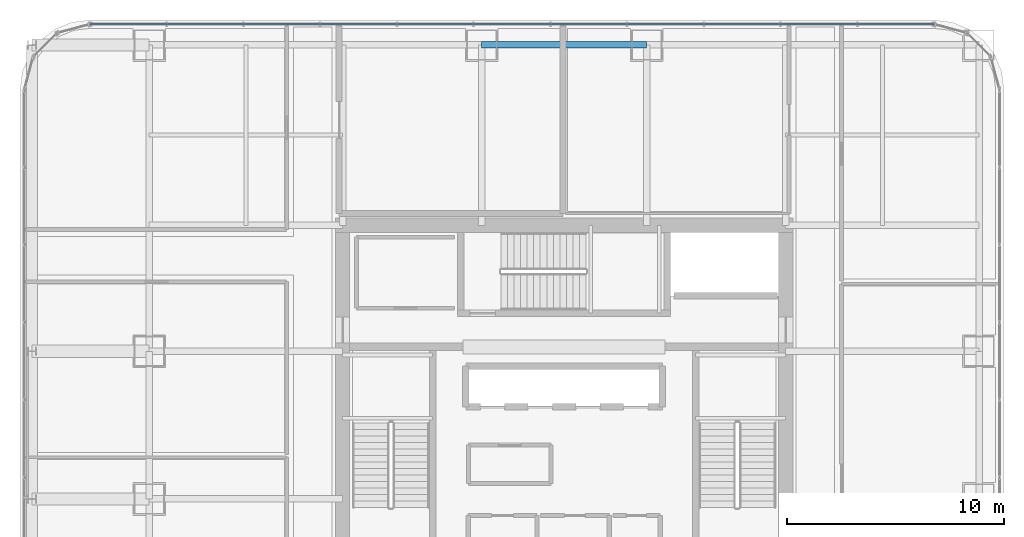
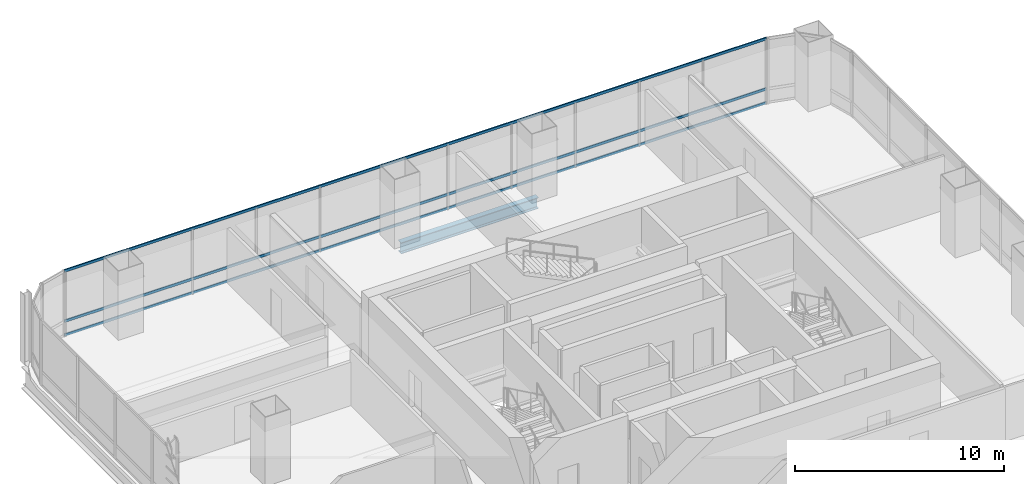
# One storey, part 23 of 36: 3 members, 1 beam, 1 element without a shape of its own.
"""IFC4 building model written with IfcOpenShell, lengths in metres."""

import ifcopenshell
import ifcopenshell.guid

model = None  # the IFC model being written
_history = None  # IfcOwnerHistory: only IFC2X3 demands one
_inside = {}  # id of a spatial element -> (the spatial element, [elements in it])
_under = {}  # id of a project, library or spatial element -> (it, [spatial elements below it])
_declared = {}  # id of a project -> (the project, [libraries it declares])
_typed = {}  # id of a type object -> (the type object, [elements of that type])
_made_of = {}  # id of a material, layer set ... -> (it, [elements and type objects made of it])


def new_model(schema):
    """Start an empty IFC model of exactly this schema.

    Asked for "IFC4X3", IfcOpenShell would pick the latest addendum, in which some entities
    have other attributes; the version numbers below select the first issue.
    IFC2X3 requires an IfcOwnerHistory on every rooted entity: one is made here for all.
    """
    global model, _history
    if schema == "IFC4X3":
        model = ifcopenshell.file(schema_version=(4, 3, 0, 0))
    else:
        model = ifcopenshell.file(schema=schema)
    _inside.clear()
    _under.clear()
    _declared.clear()
    _typed.clear()
    _made_of.clear()
    _history = None
    if model.schema == "IFC2X3":
        org = make("IfcOrganization", Name="unknown")
        user = make(
            "IfcPersonAndOrganization",
            ThePerson=make("IfcPerson", FamilyName="unknown"),
            TheOrganization=org,
        )
        app = make(
            "IfcApplication",
            ApplicationDeveloper=org,
            Version="unknown",
            ApplicationFullName="unknown",
            ApplicationIdentifier="unknown",
        )
        _history = make(
            "IfcOwnerHistory",
            OwningUser=user,
            OwningApplication=app,
            ChangeAction="ADDED",
            CreationDate=0,
        )
    return model


def make(cls, **values):
    """One entity of the class cls with the attributes given. An attribute that is None is left unset."""
    return model.create_entity(
        cls, **{name: value for name, value in values.items() if value is not None}
    )


def rooted(cls, **values):
    """An entity with a GlobalId (a new one), such as an element, a storey or a relation."""
    return make(cls, GlobalId=ifcopenshell.guid.new(), OwnerHistory=_history, **values)


def si_unit(unit_type, name, prefix=None):
    """IfcSIUnit, for example si_unit("LENGTHUNIT", "METRE", prefix="MILLI")."""
    return make("IfcSIUnit", UnitType=unit_type, Prefix=prefix, Name=name)


def assignment(units):
    """IfcUnitAssignment: the units of a project."""
    return None if units is None else make("IfcUnitAssignment", Units=units)


def point(xyz):
    """IfcCartesianPoint."""
    return None if xyz is None else make("IfcCartesianPoint", Coordinates=xyz)


def direction(xyz):
    """IfcDirection."""
    return None if xyz is None else make("IfcDirection", DirectionRatios=xyz)


def frame(location, z_axis=None, x_axis=None):
    """IfcAxis2Placement3D, a coordinate frame: its origin and axes. An axis left out is left unset."""
    return make(
        "IfcAxis2Placement3D",
        Location=point(location),
        Axis=direction(z_axis),
        RefDirection=direction(x_axis),
    )


def frame_2d(location, x_axis=None):
    """IfcAxis2Placement2D, a coordinate frame in the plane: its origin and x axis."""
    return make(
        "IfcAxis2Placement2D", Location=point(location), RefDirection=direction(x_axis)
    )


def origin():
    """The frame at (0, 0, 0) with its axes left unset."""
    return frame((0.0, 0.0, 0.0))


def origin_2d():
    """The frame at (0, 0) in the plane with its x axis left unset."""
    return frame_2d((0.0, 0.0))


def place(relative_to, where):
    """IfcLocalPlacement: puts the frame where relative to a parent placement (None: the world)."""
    return make(
        "IfcLocalPlacement", PlacementRelTo=relative_to, RelativePlacement=where
    )


def context(
    kind, dimensions, precision=None, world=None, true_north=None, identifier=None
):
    """IfcGeometricRepresentationContext, for example the 3D "Model" context."""
    return make(
        "IfcGeometricRepresentationContext",
        ContextIdentifier=identifier,
        ContextType=kind,
        CoordinateSpaceDimension=dimensions,
        Precision=precision,
        WorldCoordinateSystem=world,
        TrueNorth=true_north,
    )


def subcontext(parent, identifier, kind, view, scale=None):
    """IfcGeometricRepresentationSubContext, for example "Body" below "Model"."""
    return make(
        "IfcGeometricRepresentationSubContext",
        ContextIdentifier=identifier,
        ContextType=kind,
        ParentContext=parent,
        TargetScale=scale,
        TargetView=view,
    )


def project(units=None, contexts=None):
    """IfcProject with its units and contexts."""
    return rooted(
        "IfcProject",
        Name="project",
        RepresentationContexts=contexts,
        UnitsInContext=assignment(units),
    )


def spatial(cls, under=None, at=None, **own):
    """A site, building, storey or space (cls), placed at a placement, below another one or the project."""
    s = rooted(cls, ObjectPlacement=at, **own)
    if under is not None:
        _under.setdefault(under.id(), (under, []))[1].append(s)
    return s


def profile(cls, at=None, kind="AREA", **sizes):
    """A parametric profile (cls). Its sizes go by their IFC names, for example OverallWidth=200.0."""
    return make(cls, ProfileType=kind, Position=at, **sizes)


def hollow_rectangle(**sizes):
    """IfcRectangleHollowProfileDef."""
    return profile("IfcRectangleHollowProfileDef", **sizes)


def i_section(**sizes):
    """IfcIShapeProfileDef."""
    return profile("IfcIShapeProfileDef", **sizes)


def extrude(swept, where, along, depth):
    """IfcExtrudedAreaSolid: the profile swept, set in the frame where, extruded along a direction by depth."""
    return make(
        "IfcExtrudedAreaSolid",
        SweptArea=swept,
        Position=where,
        ExtrudedDirection=direction(along),
        Depth=depth,
    )


def shape(context_of_items, identifier, shape_type, items):
    """IfcShapeRepresentation: the items that make up one representation, for example the "Body"."""
    return make(
        "IfcShapeRepresentation",
        ContextOfItems=context_of_items,
        RepresentationIdentifier=identifier,
        RepresentationType=shape_type,
        Items=items,
    )


def material(Name=None, Category=None):
    """IfcMaterial."""
    return make("IfcMaterial", Name=Name, Category=Category)


def material_profile(
    of_material, cross_section, Name=None, Category=None, Priority=None
):
    """IfcMaterialProfile: a cross section and its material."""
    return make(
        "IfcMaterialProfile",
        Name=Name,
        Material=of_material,
        Profile=cross_section,
        Priority=Priority,
        Category=Category,
    )


def profile_set(profiles, Name=None, composite=None):
    """IfcMaterialProfileSet."""
    return make(
        "IfcMaterialProfileSet",
        Name=Name,
        MaterialProfiles=profiles,
        CompositeProfile=composite,
    )


def made_of(thing, what):
    """Note that an element or type object is made of a material, layer set ...; save() writes the relation."""
    if what is not None:
        _made_of.setdefault(what.id(), (what, []))[1].append(thing)
    return thing


def type_object(cls, material=None, **own):
    """A type object (cls), such as IfcWallType, which elements share."""
    return made_of(rooted(cls, **own), material)


def element(
    cls,
    number,
    at=None,
    inside=None,
    cuts=None,
    type_object=None,
    material=None,
    context=None,
    identifier="Body",
    shape_type=None,
    held_by="IfcProductDefinitionShape",
    body=None,
    shapes=None,
    **own,
):
    """One element of the class cls, such as IfcWall. Its Tag is "e" and its number.

    at: its placement. inside: the storey or other place that contains it. cuts: it is an
    opening in that element (IfcRelVoidsElement). A single representation is given by context,
    identifier, shape_type and body (its items); several are given by shapes. held_by: the class
    of the entity that holds the representations. save() writes the other relations.
    """
    e = rooted(cls, Tag="e%d" % number, ObjectPlacement=at, **own)
    if body is not None:
        shapes = [shape(context, identifier, shape_type, body)]
    if shapes is not None:
        e.Representation = make(held_by, Representations=shapes)
    if inside is not None:
        _inside.setdefault(inside.id(), (inside, []))[1].append(e)
    if cuts is not None:
        rooted(
            "IfcRelVoidsElement", RelatingBuildingElement=cuts, RelatedOpeningElement=e
        )
    if type_object is not None:
        _typed.setdefault(type_object.id(), (type_object, []))[1].append(e)
    return made_of(e, material)


def aggregate(whole, parts):
    """IfcRelAggregates: a whole, such as a stair, and the parts it consists of."""
    return rooted("IfcRelAggregates", RelatingObject=whole, RelatedObjects=parts)


def save(model, path):
    """Write the relations noted so far, then the file.

    IfcRelAggregates (storeys below a building ...), IfcRelContainedInSpatialStructure (elements
    in a storey), IfcRelDefinesByType, IfcRelAssociatesMaterial and IfcRelDeclares: one each for
    every whole, place, type object, material and project.
    """
    for whole, parts in _under.values():
        aggregate(whole, parts)
    for where, things in _inside.values():
        rooted(
            "IfcRelContainedInSpatialStructure",
            RelatedElements=things,
            RelatingStructure=where,
        )
    for kind, things in _typed.values():
        rooted("IfcRelDefinesByType", RelatedObjects=things, RelatingType=kind)
    for what, things in _made_of.values():
        rooted("IfcRelAssociatesMaterial", RelatedObjects=things, RelatingMaterial=what)
    for by, libraries in _declared.values():
        rooted("IfcRelDeclares", RelatingContext=by, RelatedDefinitions=libraries)
    model.write(path)


model = new_model("IFC4")

# Units and contexts
model_context = context("Model", 3, precision=1e-05, world=origin(), true_north=direction((0.0, 1.0)))
body_context = subcontext(model_context, "Body", "Model", "MODEL_VIEW")
ifc_project = project(units=[si_unit("LENGTHUNIT", "METRE"), si_unit("AREAUNIT", "SQUARE_METRE"), si_unit("VOLUMEUNIT", "CUBIC_METRE"), si_unit("PLANEANGLEUNIT", "RADIAN"), si_unit("MASSUNIT", "GRAM", prefix="KILO")], contexts=[model_context])

# Site, building, storey
site_placement = place(None, origin())
site = spatial("IfcSite", under=ifc_project, at=site_placement, CompositionType="ELEMENT")
building_placement = place(site_placement, origin())
building = spatial("IfcBuilding", under=site, at=building_placement, Name="Punatoya Terracotta Tower", CompositionType="ELEMENT")
storey_placement = place(building_placement, frame((0.0, 0.0, 180.300048828125)))
storey = spatial("IfcBuildingStorey", under=building, at=storey_placement, Name="L42", CompositionType="ELEMENT", Elevation=180.300048828125)

# Beam
ifc_material_1 = material(Name="Steel S355", Category="steel")
ifc_material_profile_1 = material_profile(ifc_material_1, i_section(OverallWidth=0.300048828125, OverallDepth=0.64990234375, WebThickness=0.01611328125, FlangeThickness=0.031005859375, FilletRadius=0.01806640625, at=origin_2d()))
ifc_profile_set_1 = profile_set([ifc_material_profile_1], Name="Steel S355")
beam_type = type_object("IfcBeamType", Name="BM-PRI-650", PredefinedType="BEAM", material=ifc_profile_set_1)
beam_placement = place(storey_placement, frame((-3.800048828125, 17.5, -0.545166015625), z_axis=(1.0, 0.0, 0.0), x_axis=(0.0, 1.0, 0.0)))
element("IfcBeam", 1, at=beam_placement, inside=storey, type_object=beam_type, Name="BM-L42-RG-N2", PredefinedType="BEAM", context=body_context, shape_type="SweptSolid", body=[
    extrude(i_section(OverallWidth=0.300048828125, OverallDepth=0.64990234375, WebThickness=0.01611328125, FlangeThickness=0.031005859375, FilletRadius=0.01806640625, at=origin_2d()), origin(), (0.0, 0.0, 1.0), 7.60009765625),
])

# Curtain wall, members
ifc_material_2 = material(Name="Aluminium 6063-T6 + Double Low-E Glass", Category="aluminium")
curtain_wall_type = type_object("IfcCurtainWallType", Name="CW-M2", PredefinedType="NOTDEFINED", material=ifc_material_2)
curtain_wall_placement = place(storey_placement, origin())
curtain_wall = element("IfcCurtainWall", 2, at=curtain_wall_placement, inside=storey, type_object=curtain_wall_type, Name="L42 Curtain Wall CW-L42-N09-1", PredefinedType="NOTDEFINED")
ifc_material_3 = material(Name="Aluminium 6063-T6", Category="aluminium")
ifc_material_profile_2 = material_profile(ifc_material_3, hollow_rectangle(XDim=0.068115234375, YDim=0.14990234375, WallThickness=0.00390625, at=origin_2d()))
ifc_profile_set_2 = profile_set([ifc_material_profile_2], Name="Aluminium 6063-T6")
member_type = type_object("IfcMemberType", Name="CW-TRN-TYP", PredefinedType="USERDEFINED", material=ifc_profile_set_2)
member_1_placement = place(storey_placement, frame((17.036865234375, 18.449951171875, 0.0400390625), z_axis=(-1.0, 0.0, 0.0), x_axis=(0.0, -1.0, 0.0)))
member_1 = element("IfcMember", 3, at=member_1_placement, type_object=member_type, Name="CW-L42-N09-1 Transom 1", ObjectType="TRANSOM", PredefinedType="USERDEFINED", context=body_context, shape_type="SweptSolid", body=[
    extrude(hollow_rectangle(XDim=0.068115234375, YDim=0.14990234375, WallThickness=0.00390625, at=origin_2d()), origin(), (0.0, 0.0, 1.0), 38.873779296875),
])
member_2_placement = place(storey_placement, frame((17.036865234375, 18.449951171875, 0.849853515625), z_axis=(-1.0, 0.0, 0.0), x_axis=(0.0, -1.0, 0.0)))
member_2 = element("IfcMember", 4, at=member_2_placement, type_object=member_type, Name="CW-L42-N09-1 Transom 2", ObjectType="TRANSOM", PredefinedType="USERDEFINED", context=body_context, shape_type="SweptSolid", body=[
    extrude(hollow_rectangle(XDim=0.068115234375, YDim=0.14990234375, WallThickness=0.00390625, at=origin_2d()), origin(), (0.0, 0.0, 1.0), 38.873779296875),
])
member_3_placement = place(storey_placement, frame((17.036865234375, 18.449951171875, 3.7900390625), z_axis=(-1.0, 0.0, 0.0), x_axis=(0.0, -1.0, 0.0)))
member_3 = element("IfcMember", 5, at=member_3_placement, type_object=member_type, Name="CW-L42-N09-1 Transom 3", ObjectType="TRANSOM", PredefinedType="USERDEFINED", context=body_context, shape_type="SweptSolid", body=[
    extrude(hollow_rectangle(XDim=0.068115234375, YDim=0.14990234375, WallThickness=0.00390625, at=origin_2d()), origin(), (0.0, 0.0, 1.0), 38.873779296875),
])
aggregate(curtain_wall, [member_1, member_2, member_3])

save(model, "model.ifc")
